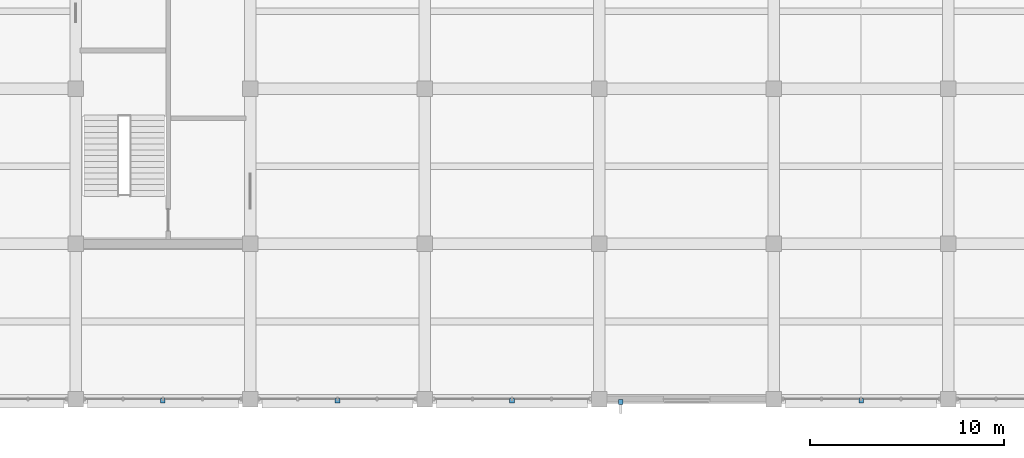
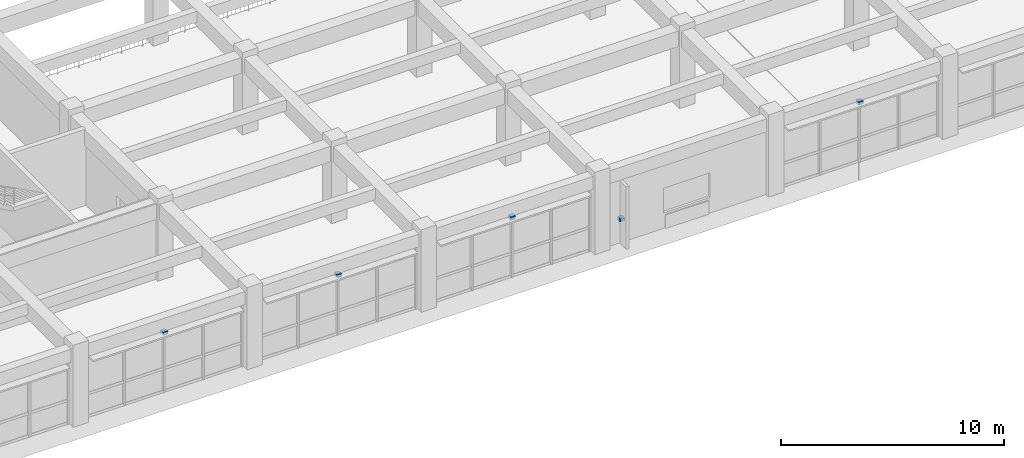
# One storey, part 37 of 50: 5 discrete accessories.
"""IFC4 building model written with IfcOpenShell, lengths in metres."""

from ifc_helpers import new_model, si_unit, direction, frame, origin, origin_2d, place, context, subcontext, project, spatial, rectangle, extrude, material, layer, layer_set, type_object, element, save


model = new_model("IFC4")

# Units and contexts
model_context = context("Model", 3, precision=1e-05, world=origin(), true_north=direction((0.0, 1.0)))
body_context = subcontext(model_context, "Body", "Model", "MODEL_VIEW")
ifc_project = project(units=[si_unit("LENGTHUNIT", "METRE"), si_unit("AREAUNIT", "SQUARE_METRE"), si_unit("VOLUMEUNIT", "CUBIC_METRE"), si_unit("PLANEANGLEUNIT", "RADIAN"), si_unit("MASSUNIT", "GRAM", prefix="KILO")], contexts=[model_context])

# Site, building, storey
site_placement = place(None, origin())
site = spatial("IfcSite", under=ifc_project, at=site_placement, CompositionType="ELEMENT")
building_placement = place(site_placement, origin())
building = spatial("IfcBuilding", under=site, at=building_placement, Name="Zaverband Oceanarium and Marine Research Institute", CompositionType="ELEMENT")
storey_placement = place(building_placement, frame((0.0, 0.0, 4.5)))
storey = spatial("IfcBuildingStorey", under=building, at=storey_placement, Name="L01", CompositionType="ELEMENT", Elevation=4.5)

# Discrete accessories
ifc_material = material(Name="Steel S355", Category="steel")
ifc_layer = layer(ifc_material, 0.179931640625, Name="Steel S355")
ifc_layer_set = layer_set([ifc_layer], Name="Steel S355")
discrete_accessory_type = type_object("IfcDiscreteAccessoryType", Name="BRK-STL-200", PredefinedType="BRACKET", material=ifc_layer_set)
for number, where, z_axis, x_axis, name in (
    (1, (85.5, -0.080078125, 3.22998046875), (0.0, 0.0, 1.0), (1.0, 0.0, 0.0), "Galvanized steel facade fin structural bracket BRK-STL-200"),
    (2, (94.5, -0.080078125, 3.22998046875), (0.0, 0.0, 1.0), (1.0, 0.0, 0.0), "Galvanized steel facade fin structural bracket BRK-STL-200"),
    (3, (103.5, -0.080078125, 3.22998046875), (0.0, 0.0, 1.0), (1.0, 0.0, 0.0), "Galvanized steel facade fin structural bracket BRK-STL-200"),
    (4, (109.10498046875, -0.155029296875, 1.22021484375), (0.0, 0.0, 1.0), (1.0, 0.0, 0.0), "Galvanized steel facade fin structural bracket BRK-STL-200"),
    (5, (121.5, -0.080078125, 3.22998046875), (0.0, 0.0, 1.0), (1.0, 0.0, 0.0), "Galvanized steel facade fin structural bracket BRK-STL-200"),
):
    element("IfcDiscreteAccessory", number, at=place(storey_placement, frame(where, z_axis=z_axis, x_axis=x_axis)), inside=storey, type_object=discrete_accessory_type, Name=name, PredefinedType="BRACKET", context=body_context, shape_type="SweptSolid", body=[
        extrude(rectangle(XDim=0.239990234375, YDim=0.239990234375, at=origin_2d()), origin(), (0.0, 0.0, 1.0), 0.179931640625),
    ])

save(model, "model.ifc")
